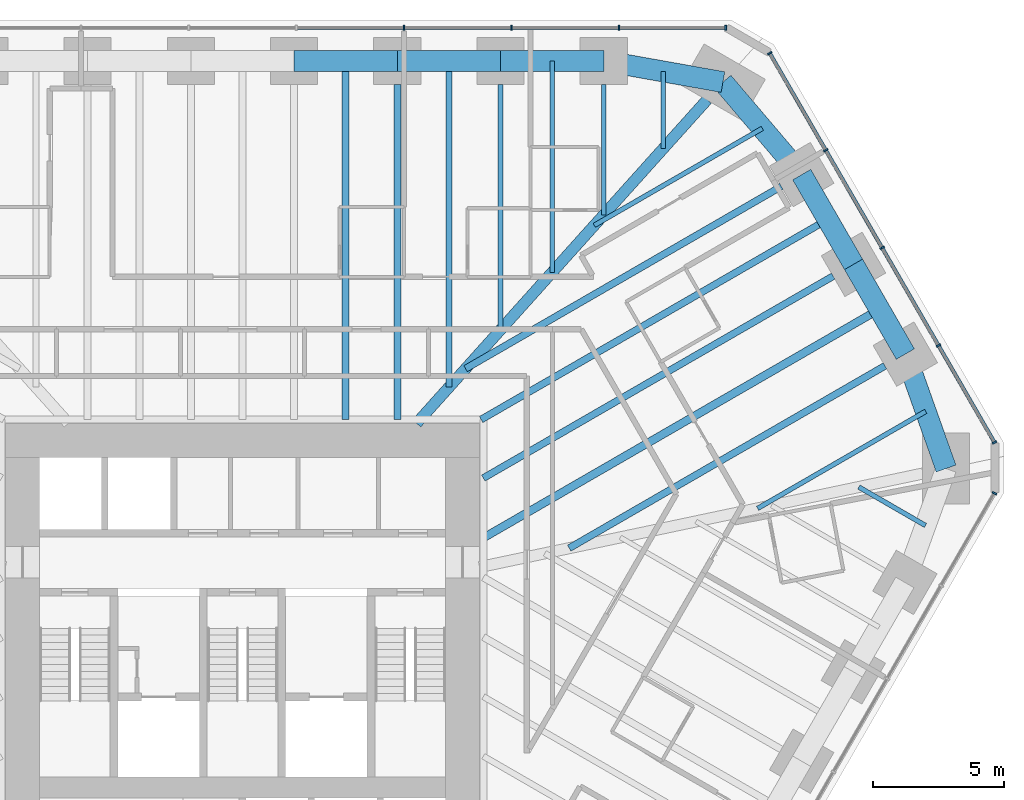
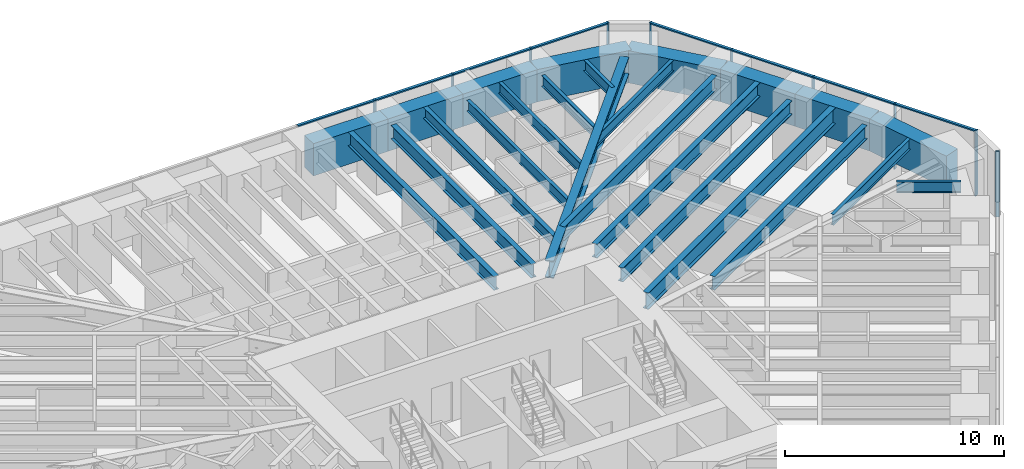
# One storey, part 9 of 16: 24 beams, 18 members, 3 elements without a shape of their own.
"""IFC4 building model written with IfcOpenShell, lengths in metres."""

from ifc_helpers import new_model, si_unit, direction, frame, origin, origin_2d, place, context, subcontext, project, spatial, rectangle, i_section, extrude, material, material_profile, profile_set, type_object, element, aggregate, save


model = new_model("IFC4")

# Units and contexts
model_context = context("Model", 3, precision=1e-05, world=origin(), true_north=direction((0.0, 1.0)))
body_context = subcontext(model_context, "Body", "Model", "MODEL_VIEW")
ifc_project = project(units=[si_unit("LENGTHUNIT", "METRE"), si_unit("AREAUNIT", "SQUARE_METRE"), si_unit("VOLUMEUNIT", "CUBIC_METRE"), si_unit("PLANEANGLEUNIT", "RADIAN"), si_unit("MASSUNIT", "GRAM", prefix="KILO")], contexts=[model_context])

# Site, building, storey
site_placement = place(None, origin())
site = spatial("IfcSite", under=ifc_project, at=site_placement, CompositionType="ELEMENT")
building_placement = place(site_placement, origin())
building = spatial("IfcBuilding", under=site, at=building_placement, Name="Sandreach Pilgrim Tower", CompositionType="ELEMENT")
storey_placement = place(building_placement, frame((0.0, 0.0, 115.800048828125)))
storey = spatial("IfcBuildingStorey", under=building, at=storey_placement, Name="L28", CompositionType="ELEMENT", Elevation=115.800048828125)

# Curtain wall, members
ifc_material_1 = material(Name="Aluminium framed curtain wall", Category="aluminium")
curtain_wall_type = type_object("IfcCurtainWallType", Name="Hotel tower curtain wall", PredefinedType="NOTDEFINED", material=ifc_material_1)
curtain_wall_1_placement = place(storey_placement, origin())
curtain_wall_1 = element("IfcCurtainWall", 1, at=curtain_wall_1_placement, inside=storey, type_object=curtain_wall_type, Name="CW-2 L28 N", PredefinedType="NOTDEFINED")
ifc_material_2 = material(Name="Aluminium extrusion", Category="aluminium")
ifc_material_profile_1 = material_profile(ifc_material_2, rectangle(XDim=0.06494140625, YDim=0.179931640625, at=origin_2d()), Name="CW-2M 65X180")
ifc_profile_set_1 = profile_set([ifc_material_profile_1], Name="Aluminium extrusion")
member_type_1 = type_object("IfcMemberType", Name="CW-2 mullion", PredefinedType="MULLION", material=ifc_profile_set_1)
member_1_placement = place(storey_placement, frame((6.160400390625, 22.493896484375, 0.0), z_axis=(0.0, 0.0, 1.0), x_axis=(1.0, 0.0, 0.0)))
member_1 = element("IfcMember", 2, at=member_1_placement, type_object=member_type_1, Name="CW-2 mullion 7", PredefinedType="MULLION", context=body_context, shape_type="SweptSolid", body=[
    extrude(rectangle(XDim=0.06494140625, YDim=0.179931640625, at=origin_2d()), origin(), (0.0, 0.0, 1.0), 3.639892578125),
])
member_2_placement = place(storey_placement, frame((10.267333984375, 22.493896484375, 0.0), z_axis=(0.0, 0.0, 1.0), x_axis=(1.0, 0.0, 0.0)))
member_2 = element("IfcMember", 3, at=member_2_placement, type_object=member_type_1, Name="CW-2 mullion 8", PredefinedType="MULLION", context=body_context, shape_type="SweptSolid", body=[
    extrude(rectangle(XDim=0.06494140625, YDim=0.179931640625, at=origin_2d()), origin(), (0.0, 0.0, 1.0), 3.639892578125),
])
member_3_placement = place(storey_placement, frame((14.37451171875, 22.493896484375, 0.0), z_axis=(0.0, 0.0, 1.0), x_axis=(1.0, 0.0, 0.0)))
member_3 = element("IfcMember", 4, at=member_3_placement, type_object=member_type_1, Name="CW-2 mullion 9", PredefinedType="MULLION", context=body_context, shape_type="SweptSolid", body=[
    extrude(rectangle(XDim=0.06494140625, YDim=0.179931640625, at=origin_2d()), origin(), (0.0, 0.0, 1.0), 3.639892578125),
])
member_4_placement = place(storey_placement, frame((18.448974609375, 22.493896484375, 0.0), z_axis=(0.0, 0.0, 1.0), x_axis=(1.0, 0.0, 0.0)))
member_4 = element("IfcMember", 5, at=member_4_placement, type_object=member_type_1, Name="CW-2 mullion 10", PredefinedType="MULLION", context=body_context, shape_type="SweptSolid", body=[
    extrude(rectangle(XDim=0.06494140625, YDim=0.179931640625, at=origin_2d()), origin(), (0.0, 0.0, 1.0), 3.639892578125),
])

curtain_wall_2_placement = place(storey_placement, origin())
curtain_wall_2 = element("IfcCurtainWall", 6, at=curtain_wall_2_placement, inside=storey, type_object=curtain_wall_type, Name="CW-2 L28 NE", PredefinedType="NOTDEFINED")
member_5_placement = place(storey_placement, frame((20.125732421875, 21.525634765625, 0.0), z_axis=(0.0, 0.0, 1.0), x_axis=(0.5, -0.866025403784, 0.0)))
member_5 = element("IfcMember", 7, at=member_5_placement, type_object=member_type_1, Name="CW-2 mullion 1", PredefinedType="MULLION", context=body_context, shape_type="SweptSolid", body=[
    extrude(rectangle(XDim=0.06494140625, YDim=0.179931640625, at=origin_2d()), origin(), (0.0, 0.0, 1.0), 3.639892578125),
])
member_6_placement = place(storey_placement, frame((22.262451171875, 17.824951171875, 0.0), z_axis=(0.0, 0.0, 1.0), x_axis=(0.5, -0.866025403784, 0.0)))
member_6 = element("IfcMember", 8, at=member_6_placement, type_object=member_type_1, Name="CW-2 mullion 2", PredefinedType="MULLION", context=body_context, shape_type="SweptSolid", body=[
    extrude(rectangle(XDim=0.06494140625, YDim=0.179931640625, at=origin_2d()), origin(), (0.0, 0.0, 1.0), 3.639892578125),
])
member_7_placement = place(storey_placement, frame((24.415283203125, 14.09619140625, 0.0), z_axis=(0.0, 0.0, 1.0), x_axis=(0.5, -0.866025403784, 0.0)))
member_7 = element("IfcMember", 9, at=member_7_placement, type_object=member_type_1, Name="CW-2 mullion 3", PredefinedType="MULLION", context=body_context, shape_type="SweptSolid", body=[
    extrude(rectangle(XDim=0.06494140625, YDim=0.179931640625, at=origin_2d()), origin(), (0.0, 0.0, 1.0), 3.639892578125),
])
member_8_placement = place(storey_placement, frame((26.568115234375, 10.3671875, 0.0), z_axis=(0.0, 0.0, 1.0), x_axis=(0.5, -0.866025403784, 0.0)))
member_8 = element("IfcMember", 10, at=member_8_placement, type_object=member_type_1, Name="CW-2 mullion 4", PredefinedType="MULLION", context=body_context, shape_type="SweptSolid", body=[
    extrude(rectangle(XDim=0.06494140625, YDim=0.179931640625, at=origin_2d()), origin(), (0.0, 0.0, 1.0), 3.639892578125),
])
member_9_placement = place(storey_placement, frame((28.70458984375, 6.66650390625, 0.0), z_axis=(0.0, 0.0, 1.0), x_axis=(0.5, -0.866025403784, 0.0)))
member_9 = element("IfcMember", 11, at=member_9_placement, type_object=member_type_1, Name="CW-2 mullion 5", PredefinedType="MULLION", context=body_context, shape_type="SweptSolid", body=[
    extrude(rectangle(XDim=0.06494140625, YDim=0.179931640625, at=origin_2d()), origin(), (0.0, 0.0, 1.0), 3.639892578125),
])

# Curtain wall, member
curtain_wall_3_placement = place(storey_placement, origin())
curtain_wall_3 = element("IfcCurtainWall", 12, at=curtain_wall_3_placement, inside=storey, type_object=curtain_wall_type, Name="CW-2 L28 SE", PredefinedType="NOTDEFINED")
member_10_placement = place(storey_placement, frame((28.70458984375, 4.730224609375, 0.0), z_axis=(0.0, 0.0, 1.0), x_axis=(-0.5, -0.866025403784, 0.0)))
member_10 = element("IfcMember", 13, at=member_10_placement, type_object=member_type_1, Name="CW-2 mullion 1", PredefinedType="MULLION", context=body_context, shape_type="SweptSolid", body=[
    extrude(rectangle(XDim=0.06494140625, YDim=0.179931640625, at=origin_2d()), origin(), (0.0, 0.0, 1.0), 3.639892578125),
])
aggregate(curtain_wall_3, [member_10])

# Member
ifc_material_3 = material(Name="Aluminium extrusion", Category="aluminium")
ifc_material_profile_2 = material_profile(ifc_material_3, rectangle(XDim=0.139892578125, YDim=0.070068359375, at=origin_2d()), Name="CW-2T 140X70")
ifc_profile_set_2 = profile_set([ifc_material_profile_2], Name="Aluminium extrusion")
member_type_2 = type_object("IfcMemberType", Name="CW-2 transom", PredefinedType="USERDEFINED", material=ifc_profile_set_2)
member_11_placement = place(storey_placement, frame((2.0859375, 22.493896484375, 3.60498046875), z_axis=(1.0, 0.0, 0.0), x_axis=(0.0, 1.0, 0.0)))
member_11 = element("IfcMember", 14, at=member_11_placement, type_object=member_type_2, Name="CW-2 head transom 6", ObjectType="TRANSOM", PredefinedType="USERDEFINED", context=body_context, shape_type="SweptSolid", body=[
    extrude(rectangle(XDim=0.139892578125, YDim=0.070068359375, at=origin_2d()), origin(), (0.0, 0.0, 1.0), 4.0419921875),
])

member_12_placement = place(storey_placement, frame((6.19287109375, 22.493896484375, 3.60498046875), z_axis=(1.0, 0.0, 0.0), x_axis=(0.0, 1.0, 0.0)))
member_12 = element("IfcMember", 15, at=member_12_placement, type_object=member_type_2, Name="CW-2 head transom 7", ObjectType="TRANSOM", PredefinedType="USERDEFINED", context=body_context, shape_type="SweptSolid", body=[
    extrude(rectangle(XDim=0.139892578125, YDim=0.070068359375, at=origin_2d()), origin(), (0.0, 0.0, 1.0), 4.0419921875),
])

member_13_placement = place(storey_placement, frame((10.300048828125, 22.493896484375, 3.60498046875), z_axis=(1.0, 0.0, 0.0), x_axis=(0.0, 1.0, 0.0)))
member_13 = element("IfcMember", 16, at=member_13_placement, type_object=member_type_2, Name="CW-2 head transom 8", ObjectType="TRANSOM", PredefinedType="USERDEFINED", context=body_context, shape_type="SweptSolid", body=[
    extrude(rectangle(XDim=0.139892578125, YDim=0.070068359375, at=origin_2d()), origin(), (0.0, 0.0, 1.0), 4.041748046875),
])

member_14_placement = place(storey_placement, frame((14.406982421875, 22.493896484375, 3.60498046875), z_axis=(1.0, 0.0, 0.0), x_axis=(0.0, 1.0, 0.0)))
member_14 = element("IfcMember", 17, at=member_14_placement, type_object=member_type_2, Name="CW-2 head transom 9", ObjectType="TRANSOM", PredefinedType="USERDEFINED", context=body_context, shape_type="SweptSolid", body=[
    extrude(rectangle(XDim=0.139892578125, YDim=0.070068359375, at=origin_2d()), origin(), (0.0, 0.0, 1.0), 4.00927734375),
])

aggregate(curtain_wall_1, [member_1, member_2, member_3, member_4, member_11, member_12, member_13, member_14])

member_15_placement = place(storey_placement, frame((20.14208984375, 21.49755859375, 3.60498046875), z_axis=(0.49997020258, -0.86604260665, 0.0), x_axis=(0.86604260665, 0.49997020258, 0.0)))
member_15 = element("IfcMember", 18, at=member_15_placement, type_object=member_type_2, Name="CW-2 head transom 1", ObjectType="TRANSOM", PredefinedType="USERDEFINED", context=body_context, shape_type="SweptSolid", body=[
    extrude(rectangle(XDim=0.139892578125, YDim=0.070068359375, at=origin_2d()), origin(), (0.0, 0.0, 1.0), 4.208251953125),
])

member_16_placement = place(storey_placement, frame((22.278564453125, 17.796875, 3.60498046875), z_axis=(0.499996541496, -0.866027400544, 0.0), x_axis=(0.866027400544, 0.499996541496, 0.0)))
member_16 = element("IfcMember", 19, at=member_16_placement, type_object=member_type_2, Name="CW-2 head transom 2", ObjectType="TRANSOM", PredefinedType="USERDEFINED", context=body_context, shape_type="SweptSolid", body=[
    extrude(rectangle(XDim=0.139892578125, YDim=0.070068359375, at=origin_2d()), origin(), (0.0, 0.0, 1.0), 4.24072265625),
])

member_17_placement = place(storey_placement, frame((24.431396484375, 14.06787109375, 3.60498046875), z_axis=(0.500021471012, -0.866013007135, 0.0), x_axis=(0.866013007135, 0.500021471012, 0.0)))
member_17 = element("IfcMember", 20, at=member_17_placement, type_object=member_type_2, Name="CW-2 head transom 3", ObjectType="TRANSOM", PredefinedType="USERDEFINED", context=body_context, shape_type="SweptSolid", body=[
    extrude(rectangle(XDim=0.139892578125, YDim=0.070068359375, at=origin_2d()), origin(), (0.0, 0.0, 1.0), 4.240478515625),
])

member_18_placement = place(storey_placement, frame((26.584228515625, 10.339111328125, 3.60498046875), z_axis=(0.500038835258, -0.866002981077, 0.0), x_axis=(0.866002981077, 0.500038835258, 0.0)))
member_18 = element("IfcMember", 21, at=member_18_placement, type_object=member_type_2, Name="CW-2 head transom 4", ObjectType="TRANSOM", PredefinedType="USERDEFINED", context=body_context, shape_type="SweptSolid", body=[
    extrude(rectangle(XDim=0.139892578125, YDim=0.070068359375, at=origin_2d()), origin(), (0.0, 0.0, 1.0), 4.208251953125),
])

aggregate(curtain_wall_2, [member_5, member_6, member_7, member_8, member_9, member_15, member_16, member_17, member_18])

# Beams
ifc_material_4 = material(Name="Steel ASTM A992 Grade 50", Category="steel")
ifc_material_profile_3 = material_profile(ifc_material_4, i_section(OverallWidth=0.424072265625, OverallDepth=0.965087890625, WebThickness=0.028564453125, FlangeThickness=0.051025390625, at=origin_2d()), Name="W36X361")
ifc_profile_set_3 = profile_set([ifc_material_profile_3], Name="Steel ASTM A992 Grade 50")
beam_type_1 = type_object("IfcBeamType", Name="Corner girder W36X361", PredefinedType="BEAM", material=ifc_profile_set_3)
beam_1_placement = place(storey_placement, frame((17.738037109375, 19.754150390625, 3.157470703125), z_axis=(-0.66811374471, -0.74405915365, 0.0), x_axis=(0.74405915365, -0.66811374471, 0.0)))
element("IfcBeam", 22, at=beam_1_placement, inside=storey, type_object=beam_type_1, Name="BM L28 CG09", PredefinedType="BEAM", context=body_context, shape_type="SweptSolid", body=[
    extrude(i_section(OverallWidth=0.424072265625, OverallDepth=0.965087890625, WebThickness=0.028564453125, FlangeThickness=0.051025390625, at=origin_2d()), origin(), (0.0, 0.0, 1.0), 16.603759765625),
])
ifc_material_5 = material(Name="Steel ASTM A992 Grade 50", Category="steel")
ifc_material_profile_4 = material_profile(ifc_material_5, i_section(OverallWidth=0.1787109375, OverallDepth=0.60205078125, WebThickness=0.010986328125, FlangeThickness=0.014892578125, at=origin_2d()), Name="W24X62")
ifc_profile_set_4 = profile_set([ifc_material_profile_4], Name="Steel ASTM A992 Grade 50")
beam_type_2 = type_object("IfcBeamType", Name="Floor beam W24X62", PredefinedType="BEAM", material=ifc_profile_set_4)
beam_2_placement = place(storey_placement, frame((9.849853515625, 20.333740234375, 3.3388671875), z_axis=(0.0, -1.0, 0.0), x_axis=(1.0, 0.0, 0.0)))
element("IfcBeam", 23, at=beam_2_placement, inside=storey, type_object=beam_type_2, Name="BM L28 F07", PredefinedType="BEAM", context=body_context, shape_type="SweptSolid", body=[
    extrude(i_section(OverallWidth=0.1787109375, OverallDepth=0.60205078125, WebThickness=0.010986328125, FlangeThickness=0.014892578125, at=origin_2d()), origin(), (0.0, 0.0, 1.0), 9.3642578125),
])
beam_3_placement = place(storey_placement, frame((13.789794921875, 20.333740234375, 3.3388671875), z_axis=(0.0, -1.0, 0.0), x_axis=(1.0, 0.0, 0.0)))
element("IfcBeam", 24, at=beam_3_placement, inside=storey, type_object=beam_type_2, Name="BM L28 F08", PredefinedType="BEAM", context=body_context, shape_type="SweptSolid", body=[
    extrude(i_section(OverallWidth=0.1787109375, OverallDepth=0.60205078125, WebThickness=0.010986328125, FlangeThickness=0.014892578125, at=origin_2d()), origin(), (0.0, 0.0, 1.0), 4.9765625),
])
beam_4_placement = place(storey_placement, frame((11.81982421875, 21.23388671875, 3.3388671875), z_axis=(0.0, -1.0, 0.0), x_axis=(1.0, 0.0, 0.0)))
element("IfcBeam", 25, at=beam_4_placement, inside=storey, type_object=beam_type_2, Name="BM L28 FM07", PredefinedType="BEAM", context=body_context, shape_type="SweptSolid", body=[
    extrude(i_section(OverallWidth=0.1787109375, OverallDepth=0.60205078125, WebThickness=0.010986328125, FlangeThickness=0.014892578125, at=origin_2d()), origin(), (0.0, 0.0, 1.0), 8.070556640625),
])
beam_5_placement = place(storey_placement, frame((16.064697265625, 20.828857421875, 3.3388671875), z_axis=(0.0, -1.0, 0.0), x_axis=(1.0, 0.0, 0.0)))
element("IfcBeam", 26, at=beam_5_placement, inside=storey, type_object=beam_type_2, Name="BM L28 FM08", PredefinedType="BEAM", context=body_context, shape_type="SweptSolid", body=[
    extrude(i_section(OverallWidth=0.1787109375, OverallDepth=0.60205078125, WebThickness=0.010986328125, FlangeThickness=0.014892578125, at=origin_2d()), origin(), (0.0, 0.0, 1.0), 2.938232421875),
])
for number, where, z_axis, x_axis, name in (
    (27, (19.8427734375, 18.65771484375, 3.3388671875), (-0.866025875064, -0.499999183719, 0.0), (0.499999183719, -0.866025875064, 0.0), "BM L28 FM09"),
    (28, (26.079345703125, 7.855712890625, 3.3388671875), (-0.866025875064, -0.499999183719, 0.0), (0.499999183719, -0.866025875064, 0.0), "BM L28 FM12"),
):
    element("IfcBeam", number, at=place(storey_placement, frame(where, z_axis=z_axis, x_axis=x_axis)), inside=storey, type_object=beam_type_2, Name=name, PredefinedType="BEAM", context=body_context, shape_type="SweptSolid", body=[
        extrude(i_section(OverallWidth=0.1787109375, OverallDepth=0.60205078125, WebThickness=0.010986328125, FlangeThickness=0.014892578125, at=origin_2d()), origin(), (0.0, 0.0, 1.0), 7.40771484375),
    ])
beam_6_placement = place(storey_placement, frame((26.070556640625, 3.498046875, 3.3388671875), z_axis=(-0.866051374412, 0.499955014855, 0.0), x_axis=(-0.499955014855, -0.866051374412, 0.0)))
element("IfcBeam", 29, at=beam_6_placement, inside=storey, type_object=beam_type_2, Name="BM L28 FM13", PredefinedType="BEAM", context=body_context, shape_type="SweptSolid", body=[
    extrude(i_section(OverallWidth=0.1787109375, OverallDepth=0.60205078125, WebThickness=0.010986328125, FlangeThickness=0.014892578125, at=origin_2d()), origin(), (0.0, 0.0, 1.0), 2.938232421875),
])
ifc_material_6 = material(Name="Steel ASTM A992 Grade 50", Category="steel")
ifc_material_profile_5 = material_profile(ifc_material_6, i_section(OverallWidth=0.23046875, OverallDepth=0.6171875, WebThickness=0.01318359375, FlangeThickness=0.022216796875, at=origin_2d()), Name="W24X94")
ifc_profile_set_5 = profile_set([ifc_material_profile_5], Name="Steel ASTM A992 Grade 50")
beam_type_3 = type_object("IfcBeamType", Name="Floor beam W24X94", PredefinedType="BEAM", material=ifc_profile_set_5)
beam_7_placement = place(storey_placement, frame((7.8798828125, 21.23388671875, 3.331298828125), z_axis=(0.0, -1.0, 0.0), x_axis=(1.0, 0.0, 0.0)))
element("IfcBeam", 30, at=beam_7_placement, inside=storey, type_object=beam_type_3, Name="BM L28 FM06", PredefinedType="BEAM", context=body_context, shape_type="SweptSolid", body=[
    extrude(i_section(OverallWidth=0.23046875, OverallDepth=0.6171875, WebThickness=0.01318359375, FlangeThickness=0.022216796875, at=origin_2d()), origin(), (0.0, 0.0, 1.0), 12.458251953125),
])
ifc_material_7 = material(Name="Steel ASTM A992 Grade 50", Category="steel")
ifc_material_profile_6 = material_profile(ifc_material_7, i_section(OverallWidth=0.2666015625, OverallDepth=0.761962890625, WebThickness=0.014404296875, FlangeThickness=0.021484375, at=origin_2d()), Name="W30X116")
ifc_profile_set_6 = profile_set([ifc_material_profile_6], Name="Steel ASTM A992 Grade 50")
beam_type_4 = type_object("IfcBeamType", Name="Floor beam W30X116", PredefinedType="BEAM", material=ifc_profile_set_6)
beam_8_placement = place(storey_placement, frame((5.909912109375, 20.333740234375, 3.259033203125), z_axis=(0.0, -1.0, 0.0), x_axis=(1.0, 0.0, 0.0)))
element("IfcBeam", 31, at=beam_8_placement, inside=storey, type_object=beam_type_4, Name="BM L28 F06", PredefinedType="BEAM", context=body_context, shape_type="SweptSolid", body=[
    extrude(i_section(OverallWidth=0.2666015625, OverallDepth=0.761962890625, WebThickness=0.014404296875, FlangeThickness=0.021484375, at=origin_2d()), origin(), (0.0, 0.0, 1.0), 12.790283203125),
])
beam_9_placement = place(storey_placement, frame((20.56689453125, 16.44140625, 3.259033203125), z_axis=(-0.866022263426, -0.500005439221, 0.0), x_axis=(0.500005439221, -0.866022263426, 0.0)))
element("IfcBeam", 32, at=beam_9_placement, inside=storey, type_object=beam_type_4, Name="BM L28 F10", PredefinedType="BEAM", context=body_context, shape_type="SweptSolid", body=[
    extrude(i_section(OverallWidth=0.2666015625, OverallDepth=0.761962890625, WebThickness=0.014404296875, FlangeThickness=0.021484375, at=origin_2d()), origin(), (0.0, 0.0, 1.0), 13.915283203125),
])
beam_10_placement = place(storey_placement, frame((24.522216796875, 9.5908203125, 3.259033203125), z_axis=(-0.866026649588, -0.499997842199, 0.0), x_axis=(0.499997842199, -0.866026649588, 0.0)))
element("IfcBeam", 33, at=beam_10_placement, inside=storey, type_object=beam_type_4, Name="BM L28 F12", PredefinedType="BEAM", context=body_context, shape_type="SweptSolid", body=[
    extrude(i_section(OverallWidth=0.2666015625, OverallDepth=0.761962890625, WebThickness=0.014404296875, FlangeThickness=0.021484375, at=origin_2d()), origin(), (0.0, 0.0, 1.0), 13.91552734375),
])
beam_11_placement = place(storey_placement, frame((3.93994140625, 21.23388671875, 3.259033203125), z_axis=(0.0, -1.0, 0.0), x_axis=(1.0, 0.0, 0.0)))
element("IfcBeam", 34, at=beam_11_placement, inside=storey, type_object=beam_type_4, Name="BM L28 FM05", PredefinedType="BEAM", context=body_context, shape_type="SweptSolid", body=[
    extrude(i_section(OverallWidth=0.2666015625, OverallDepth=0.761962890625, WebThickness=0.014404296875, FlangeThickness=0.021484375, at=origin_2d()), origin(), (0.0, 0.0, 1.0), 13.6904296875),
])
ifc_material_8 = material(Name="Steel ASTM A992 Grade 50", Category="steel")
ifc_material_profile_7 = material_profile(ifc_material_8, i_section(OverallWidth=0.2666015625, OverallDepth=0.77978515625, WebThickness=0.0166015625, FlangeThickness=0.030029296875, at=origin_2d()), Name="W30X148")
ifc_profile_set_7 = profile_set([ifc_material_profile_7], Name="Steel ASTM A992 Grade 50")
beam_type_5 = type_object("IfcBeamType", Name="Floor beam W30X148", PredefinedType="BEAM", material=ifc_profile_set_7)
beam_12_placement = place(storey_placement, frame((22.544677734375, 13.01611328125, 3.25), z_axis=(-0.866029203842, -0.49999341805, 0.0), x_axis=(0.49999341805, -0.866029203842, 0.0)))
element("IfcBeam", 35, at=beam_12_placement, inside=storey, type_object=beam_type_5, Name="BM L28 F11", PredefinedType="BEAM", context=body_context, shape_type="SweptSolid", body=[
    extrude(i_section(OverallWidth=0.2666015625, OverallDepth=0.77978515625, WebThickness=0.0166015625, FlangeThickness=0.030029296875, at=origin_2d()), origin(), (0.0, 0.0, 1.0), 15.416748046875),
])
beam_13_placement = place(storey_placement, frame((22.335205078125, 15.1787109375, 3.25), z_axis=(-0.866028773314, -0.499994163758, 0.0), x_axis=(0.499994163758, -0.866028773314, 0.0)))
element("IfcBeam", 36, at=beam_13_placement, inside=storey, type_object=beam_type_5, Name="BM L28 FM10", PredefinedType="BEAM", context=body_context, shape_type="SweptSolid", body=[
    extrude(i_section(OverallWidth=0.2666015625, OverallDepth=0.77978515625, WebThickness=0.0166015625, FlangeThickness=0.030029296875, at=origin_2d()), origin(), (0.0, 0.0, 1.0), 15.270751953125),
])
ifc_material_9 = material(Name="Steel ASTM A992 Grade 50", Category="steel")
ifc_material_profile_8 = material_profile(ifc_material_9, i_section(OverallWidth=0.3046875, OverallDepth=0.914306640625, WebThickness=0.0166015625, FlangeThickness=0.02587890625, at=origin_2d()), Name="W36X160")
ifc_profile_set_8 = profile_set([ifc_material_profile_8], Name="Steel ASTM A992 Grade 50")
beam_type_6 = type_object("IfcBeamType", Name="Floor beam W36X160", PredefinedType="BEAM", material=ifc_profile_set_8)
beam_14_placement = place(storey_placement, frame((24.312744140625, 11.75341796875, 3.182861328125), z_axis=(-0.866023737483, -0.500002886107, 0.0), x_axis=(0.500002886107, -0.866023737483, 0.0)))
element("IfcBeam", 37, at=beam_14_placement, inside=storey, type_object=beam_type_6, Name="BM L28 FM11", PredefinedType="BEAM", context=body_context, shape_type="SweptSolid", body=[
    extrude(i_section(OverallWidth=0.3046875, OverallDepth=0.914306640625, WebThickness=0.0166015625, FlangeThickness=0.02587890625, at=origin_2d()), origin(), (0.0, 0.0, 1.0), 17.45849609375),
])
ifc_material_10 = material(Name="Concrete 10000 psi", Category="concrete")
ifc_material_profile_9 = material_profile(ifc_material_10, rectangle(XDim=0.800048828125, YDim=1.800048828125, at=origin_2d()), Name="RC800X1800")
ifc_profile_set_9 = profile_set([ifc_material_profile_9], Name="Concrete 10000 psi")
beam_type_7 = type_object("IfcBeamType", Name="Spandrel beam RC800X1800", PredefinedType="SPANDREL", material=ifc_profile_set_9)
for number, where, z_axis, x_axis, name in (
    (38, (1.969970703125, 21.23388671875, 2.739990234375), (1.0, 0.0, 0.0), (0.0, 1.0, 0.0), "BM L28 SP05"),
    (39, (5.909912109375, 21.23388671875, 2.739990234375), (1.0, 0.0, 0.0), (0.0, 1.0, 0.0), "BM L28 SP06"),
    (40, (9.849853515625, 21.23388671875, 2.739990234375), (1.0, 0.0, 0.0), (0.0, 1.0, 0.0), "BM L28 SP07"),
):
    element("IfcBeam", number, at=place(storey_placement, frame(where, z_axis=z_axis, x_axis=x_axis)), inside=storey, type_object=beam_type_7, Name=name, PredefinedType="SPANDREL", context=body_context, shape_type="SweptSolid", body=[
        extrude(rectangle(XDim=0.800048828125, YDim=1.800048828125, at=origin_2d()), origin(), (0.0, 0.0, 1.0), 3.93994140625),
    ])
beam_15_placement = place(storey_placement, frame((13.789794921875, 21.23388671875, 2.739990234375), z_axis=(0.984515938739, -0.175295083699, 0.0), x_axis=(0.175295083699, 0.984515938739, 0.0)))
element("IfcBeam", 41, at=beam_15_placement, inside=storey, type_object=beam_type_7, Name="BM L28 SP08", PredefinedType="SPANDREL", context=body_context, shape_type="SweptSolid", body=[
    extrude(rectangle(XDim=0.800048828125, YDim=1.800048828125, at=origin_2d()), origin(), (0.0, 0.0, 1.0), 4.62109375),
])
beam_16_placement = place(storey_placement, frame((18.33935546875, 20.423828125, 2.739990234375), z_axis=(0.648208888384, -0.761462564425, 0.0), x_axis=(0.761462564425, 0.648208888384, 0.0)))
element("IfcBeam", 42, at=beam_16_placement, inside=storey, type_object=beam_type_7, Name="BM L28 SP09", PredefinedType="SPANDREL", context=body_context, shape_type="SweptSolid", body=[
    extrude(rectangle(XDim=0.800048828125, YDim=1.800048828125, at=origin_2d()), origin(), (0.0, 0.0, 1.0), 4.63916015625),
])
for number, where, z_axis, x_axis, name in (
    (43, (21.346435546875, 16.891357421875, 2.739990234375), (0.499989616998, -0.866031398331, 0.0), (0.866031398331, 0.499989616998, 0.0), "BM L28 SP10"),
    (44, (23.323974609375, 13.466064453125, 2.739990234375), (0.499989616998, -0.866031398331, 0.0), (0.866031398331, 0.499989616998, 0.0), "BM L28 SP11"),
):
    element("IfcBeam", number, at=place(storey_placement, frame(where, z_axis=z_axis, x_axis=x_axis)), inside=storey, type_object=beam_type_7, Name=name, PredefinedType="SPANDREL", context=body_context, shape_type="SweptSolid", body=[
        extrude(rectangle(XDim=0.800048828125, YDim=1.800048828125, at=origin_2d()), origin(), (0.0, 0.0, 1.0), 3.955078125),
    ])
beam_17_placement = place(storey_placement, frame((25.301513671875, 10.040771484375, 2.739990234375), z_axis=(0.335346041399, -0.942095023083, 0.0), x_axis=(0.942095023083, 0.335346041399, 0.0)))
element("IfcBeam", 45, at=beam_17_placement, inside=storey, type_object=beam_type_7, Name="BM L28 SP12", PredefinedType="SPANDREL", context=body_context, shape_type="SweptSolid", body=[
    extrude(rectangle(XDim=0.800048828125, YDim=1.800048828125, at=origin_2d()), origin(), (0.0, 0.0, 1.0), 4.638916015625),
])

save(model, "model.ifc")
